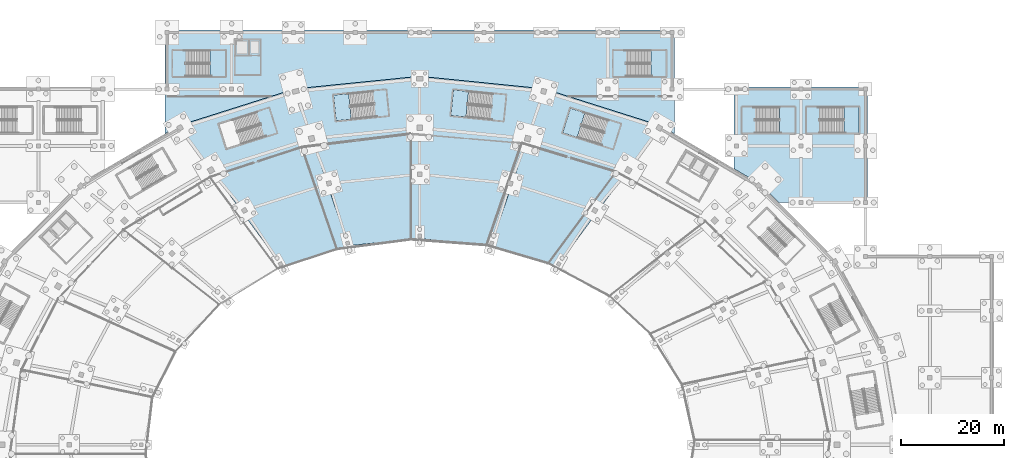
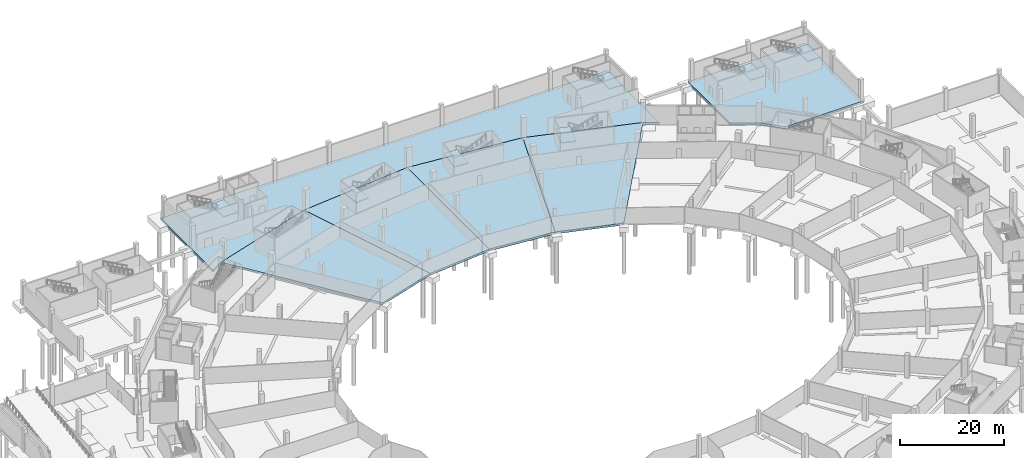
# One storey, part 27 of 74: 13 slabs, 7 elements without a shape of their own.
"""IFC4 building model written with IfcOpenShell, lengths in metres."""

from ifc_helpers import new_model, si_unit, direction, frame, origin, place, context, subcontext, project, spatial, polyline, outline, extrude, material, layer, layer_set, type_object, element, aggregate, save


model = new_model("IFC4")

# Units and contexts
model_context = context("Model", 3, precision=1e-05, world=origin(), true_north=direction((0.0, 1.0)))
body_context = subcontext(model_context, "Body", "Model", "MODEL_VIEW")
ifc_project = project(units=[si_unit("LENGTHUNIT", "METRE"), si_unit("AREAUNIT", "SQUARE_METRE"), si_unit("VOLUMEUNIT", "CUBIC_METRE"), si_unit("PLANEANGLEUNIT", "RADIAN"), si_unit("MASSUNIT", "GRAM", prefix="KILO")], contexts=[model_context])

# Site, building, storey
site_placement = place(None, origin())
site = spatial("IfcSite", under=ifc_project, at=site_placement, CompositionType="ELEMENT")
building_placement = place(site_placement, origin())
building = spatial("IfcBuilding", under=site, at=building_placement, Name="Zlatoyarsky Gate Stadium", CompositionType="ELEMENT")
storey_placement = place(building_placement, frame((0.0, 0.0, -5.39990234375)))
storey = spatial("IfcBuildingStorey", under=building, at=storey_placement, Name="B1", CompositionType="ELEMENT", Elevation=-5.39990234375)

# Slabs
ifc_material_1 = material(Name="Concrete C35/45", Category="concrete")
ifc_layer_1 = layer(ifc_material_1, 0.5)
ifc_layer_set_1 = layer_set([ifc_layer_1], Name="Concrete C35/45")
slab_type_1 = type_object("IfcSlabType", Name="CONCRETE BASE SLAB 500", PredefinedType="BASESLAB", material=ifc_layer_set_1)
slab_1_placement = place(storey_placement, frame((0.0, 0.0, -0.5)))
element("IfcSlab", 1, at=slab_1_placement, inside=storey, type_object=slab_type_1, Name="B1 bowl sector 04 slab", PredefinedType="BASESLAB", context=body_context, shape_type="SweptSolid", body=[
    extrude(outline(polyline([(124.8466796875, 118.636962890625), (135.19970703125, 149.063720703125), (157.75, 141.9208984375), (137.75, 114.64111328125), (124.8466796875, 118.636962890625)])), origin(), (0.0, 0.0, 1.0), 0.5),
])
slab_2_placement = place(storey_placement, frame((0.0, 0.0, -0.5)))
element("IfcSlab", 2, at=slab_2_placement, inside=storey, type_object=slab_type_1, Name="B1 bowl sector 05 slab", PredefinedType="BASESLAB", context=body_context, shape_type="SweptSolid", body=[
    extrude(outline(polyline([(111.0, 120.0), (111.0, 151.5), (135.19970703125, 149.063720703125), (124.8466796875, 118.636962890625), (111.0, 120.0)])), origin(), (0.0, 0.0, 1.0), 0.5),
])
slab_3_placement = place(storey_placement, frame((0.0, 0.0, -0.5)))
element("IfcSlab", 3, at=slab_3_placement, inside=storey, type_object=slab_type_1, Name="B1 bowl sector 06 slab", PredefinedType="BASESLAB", context=body_context, shape_type="SweptSolid", body=[
    extrude(outline(polyline([(97.1533203125, 118.636962890625), (86.80029296875, 149.063720703125), (111.0, 151.5), (111.0, 120.0), (97.1533203125, 118.636962890625)])), origin(), (0.0, 0.0, 1.0), 0.5),
])
slab_4_placement = place(storey_placement, frame((0.0, 0.0, -0.5)))
element("IfcSlab", 4, at=slab_4_placement, inside=storey, type_object=slab_type_1, Name="B1 bowl sector 07 slab", PredefinedType="BASESLAB", context=body_context, shape_type="SweptSolid", body=[
    extrude(outline(polyline([(84.25, 114.64111328125), (64.25, 141.9208984375), (86.80029296875, 149.063720703125), (97.1533203125, 118.636962890625), (84.25, 114.64111328125)])), origin(), (0.0, 0.0, 1.0), 0.5),
])
slab_5_placement = place(storey_placement, frame((0.0, 0.0, -0.5)))
element("IfcSlab", 5, at=slab_5_placement, inside=storey, type_object=slab_type_1, Name="B1 wing V2_NORTH slab", PredefinedType="BASESLAB", context=body_context, shape_type="SweptSolid", body=[
    extrude(outline(polyline([(160.449951171875, 140.33642578125), (157.75, 141.9208984375), (135.19970703125, 149.063720703125), (111.0, 151.5), (86.80029296875, 149.063720703125), (64.25, 141.9208984375), (61.550048828125, 140.33642578125), (61.550048828125, 160.449951171875), (160.449951171875, 160.449951171875), (160.449951171875, 140.33642578125)])), origin(), (0.0, 0.0, 1.0), 0.5),
])
slab_6_placement = place(storey_placement, frame((0.0, 0.0, -0.5)))
element("IfcSlab", 6, at=slab_6_placement, inside=storey, type_object=slab_type_1, Name="B1 wing V6_NE slab", PredefinedType="BASESLAB", context=body_context, shape_type="SweptSolid", body=[
    extrude(outline(polyline([(197.949951171875, 127.0), (180.684814453125, 127.0), (177.114501953125, 130.55810546875), (172.050048828125, 133.52978515625), (172.050048828125, 149.449951171875), (197.949951171875, 149.449951171875), (197.949951171875, 127.0)])), origin(), (0.0, 0.0, 1.0), 0.5),
])

# Stair, slab
ifc_material_2 = material(Name="Concrete C40/50", Category="concrete")
stair_type = type_object("IfcStairType", Name="CONCRETE DOGLEG EXIT STAIR H5400", PredefinedType="TWO_STRAIGHT_RUN_STAIR", material=ifc_material_2)
stair_1_placement = place(storey_placement, origin())
stair_1 = element("IfcStair", 7, at=stair_1_placement, inside=storey, type_object=stair_type, Name="B1 Exit Stair ST-03", PredefinedType="TWO_STRAIGHT_RUN_STAIR")
ifc_layer_2 = layer(ifc_material_2, 0.199951171875)
ifc_layer_set_2 = layer_set([ifc_layer_2], Name="Concrete C40/50")
slab_type_2 = type_object("IfcSlabType", Name="CONCRETE STAIR LANDING SLAB 200", PredefinedType="LANDING", material=ifc_layer_set_2)
slab_7_placement = place(storey_placement, frame((0.0, 0.0, 2.5)))
slab_7 = element("IfcSlab", 8, at=slab_7_placement, type_object=slab_type_2, Name="ST-DG54 landing 1", PredefinedType="LANDING", context=body_context, shape_type="SweptSolid", body=[
    extrude(outline(polyline([(143.07666015625, 144.411376953125), (140.263916015625, 145.30078125), (138.75634765625, 140.53369140625), (141.569091796875, 139.64404296875), (143.07666015625, 144.411376953125)])), origin(), (0.0, 0.0, 1.0), 0.199951171875),
])
aggregate(stair_1, [slab_7])

stair_2_placement = place(storey_placement, origin())
stair_2 = element("IfcStair", 9, at=stair_2_placement, inside=storey, type_object=stair_type, Name="B1 Exit Stair ST-04", PredefinedType="TWO_STRAIGHT_RUN_STAIR")
slab_8_placement = place(storey_placement, frame((0.0, 0.0, 2.5)))
slab_8 = element("IfcSlab", 10, at=slab_8_placement, type_object=slab_type_2, Name="ST-DG54 landing 1", PredefinedType="LANDING", context=body_context, shape_type="SweptSolid", body=[
    extrude(outline(polyline([(97.22802734375, 148.140869140625), (94.292724609375, 147.845703125), (94.792724609375, 142.870849609375), (97.72802734375, 143.165771484375), (97.22802734375, 148.140869140625)])), origin(), (0.0, 0.0, 1.0), 0.199951171875),
])
aggregate(stair_2, [slab_8])

stair_3_placement = place(storey_placement, origin())
stair_3 = element("IfcStair", 11, at=stair_3_placement, inside=storey, type_object=stair_type, Name="B1 Exit Stair ST-17", PredefinedType="TWO_STRAIGHT_RUN_STAIR")
slab_9_placement = place(storey_placement, frame((0.0, 0.0, 2.5)))
slab_9 = element("IfcSlab", 12, at=slab_9_placement, type_object=slab_type_2, Name="ST-DG54 landing 1", PredefinedType="LANDING", context=body_context, shape_type="SweptSolid", body=[
    extrude(outline(polyline([(120.49365234375, 148.57080078125), (117.558349609375, 148.865966796875), (117.058349609375, 143.890869140625), (119.99365234375, 143.595947265625), (120.49365234375, 148.57080078125)])), origin(), (0.0, 0.0, 1.0), 0.199951171875),
])
aggregate(stair_3, [slab_9])

stair_4_placement = place(storey_placement, origin())
stair_4 = element("IfcStair", 13, at=stair_4_placement, inside=storey, type_object=stair_type, Name="B1 Exit Stair ST-27", PredefinedType="TWO_STRAIGHT_RUN_STAIR")
slab_10_placement = place(storey_placement, frame((0.0, 0.0, 2.5)))
slab_10 = element("IfcSlab", 14, at=slab_10_placement, type_object=slab_type_2, Name="ST-DG54 landing 1", PredefinedType="LANDING", context=body_context, shape_type="SweptSolid", body=[
    extrude(outline(polyline([(180.85009765625, 140.5), (183.800048828125, 140.5), (183.800048828125, 145.5), (180.85009765625, 145.5), (180.85009765625, 140.5)])), origin(), (0.0, 0.0, 1.0), 0.199951171875),
])
aggregate(stair_4, [slab_10])

stair_5_placement = place(storey_placement, origin())
stair_5 = element("IfcStair", 15, at=stair_5_placement, inside=storey, type_object=stair_type, Name="B1 Exit Stair ST-28", PredefinedType="TWO_STRAIGHT_RUN_STAIR")
slab_11_placement = place(storey_placement, frame((0.0, 0.0, 2.5)))
slab_11 = element("IfcSlab", 16, at=slab_11_placement, type_object=slab_type_2, Name="ST-DG54 landing 1", PredefinedType="LANDING", context=body_context, shape_type="SweptSolid", body=[
    extrude(outline(polyline([(193.35009765625, 140.5), (196.300048828125, 140.5), (196.300048828125, 145.5), (193.35009765625, 145.5), (193.35009765625, 140.5)])), origin(), (0.0, 0.0, 1.0), 0.199951171875),
])
aggregate(stair_5, [slab_11])

stair_6_placement = place(storey_placement, origin())
stair_6 = element("IfcStair", 17, at=stair_6_placement, inside=storey, type_object=stair_type, Name="B1 Exit Stair ST-31", PredefinedType="TWO_STRAIGHT_RUN_STAIR")
slab_12_placement = place(storey_placement, frame((0.0, 0.0, 2.5)))
slab_12 = element("IfcSlab", 18, at=slab_12_placement, type_object=slab_type_2, Name="ST-DG54 landing 1", PredefinedType="LANDING", context=body_context, shape_type="SweptSolid", body=[
    extrude(outline(polyline([(70.35009765625, 151.5), (73.300048828125, 151.5), (73.300048828125, 156.5), (70.35009765625, 156.5), (70.35009765625, 151.5)])), origin(), (0.0, 0.0, 1.0), 0.199951171875),
])
aggregate(stair_6, [slab_12])

stair_7_placement = place(storey_placement, origin())
stair_7 = element("IfcStair", 19, at=stair_7_placement, inside=storey, type_object=stair_type, Name="B1 Exit Stair ST-32", PredefinedType="TWO_STRAIGHT_RUN_STAIR")
slab_13_placement = place(storey_placement, frame((0.0, 0.0, 2.5)))
slab_13 = element("IfcSlab", 20, at=slab_13_placement, type_object=slab_type_2, Name="ST-DG54 landing 1", PredefinedType="LANDING", context=body_context, shape_type="SweptSolid", body=[
    extrude(outline(polyline([(155.85009765625, 151.5), (158.800048828125, 151.5), (158.800048828125, 156.5), (155.85009765625, 156.5), (155.85009765625, 151.5)])), origin(), (0.0, 0.0, 1.0), 0.199951171875),
])
aggregate(stair_7, [slab_13])

save(model, "model.ifc")
